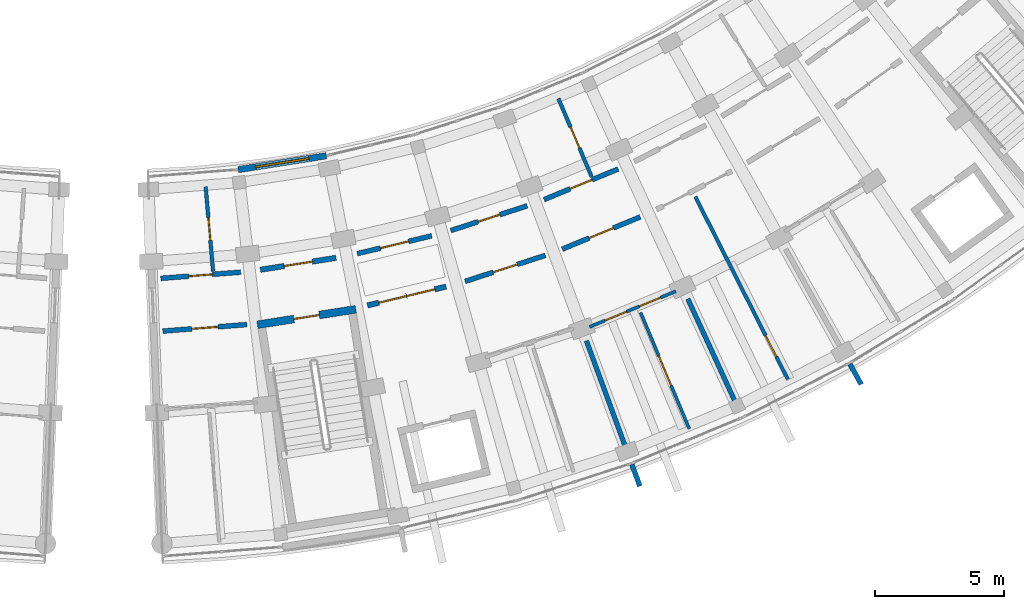
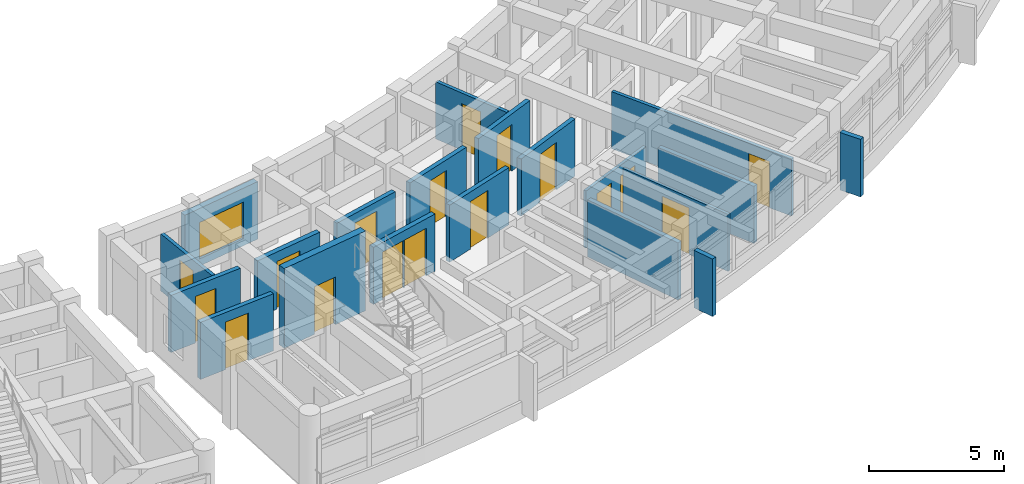
# One storey, part 67 of 83: 20 walls, 17 doors, 1 window, 18 openings.
"""IFC4 building model written with IfcOpenShell, lengths in metres."""

from ifc_helpers import new_model, si_unit, direction, frame, frame_2d, origin, place, context, subcontext, project, spatial, rectangle, extrude, material, layer, layer_set, type_object, element, fill, save


model = new_model("IFC4")

# Units and contexts
model_context = context("Model", 3, precision=1e-05, world=origin(), true_north=direction((0.0, 1.0)))
body_context = subcontext(model_context, "Body", "Model", "MODEL_VIEW")
ifc_project = project(units=[si_unit("LENGTHUNIT", "METRE"), si_unit("AREAUNIT", "SQUARE_METRE"), si_unit("VOLUMEUNIT", "CUBIC_METRE"), si_unit("PLANEANGLEUNIT", "RADIAN"), si_unit("MASSUNIT", "GRAM", prefix="KILO")], contexts=[model_context])

# Site, building, storey
site_placement = place(None, origin())
site = spatial("IfcSite", under=ifc_project, at=site_placement, CompositionType="ELEMENT")
building_placement = place(site_placement, origin())
building = spatial("IfcBuilding", under=site, at=building_placement, Name="Zimvara Arc Housing Community", CompositionType="ELEMENT")
storey_placement = place(building_placement, frame((0.0, 0.0, 4.5)))
storey = spatial("IfcBuildingStorey", under=building, at=storey_placement, Name="L01", CompositionType="ELEMENT", Elevation=4.5)

# Walls
ifc_material_1 = material(Name="Board-Marked Fair-Faced Concrete C35/45", Category="concrete")
ifc_layer_1 = layer(ifc_material_1, 0.195068359375)
ifc_layer_set_1 = layer_set([ifc_layer_1], Name="Board-Marked Fair-Faced Concrete C35/45")
wall_type_1 = type_object("IfcWallType", Name="EWL-PARA-195", PredefinedType="PARAPET", material=ifc_layer_set_1)
for number, where, z_axis, x_axis, name in (
    (1, (146.49755859375, 54.0947265625, 0.0), (0.0, 0.0, 1.0), (0.34529052391, -0.938495846607, 0.0), "finwall:blkD:L01:out:b4"),
    (2, (154.968505859375, 57.990966796875, 0.0), (0.0, 0.0, 1.0), (0.487967253808, -0.872861935939, 0.0), "finwall:blkD:L01:out:b6"),
):
    element("IfcWall", number, at=place(storey_placement, frame(where, z_axis=z_axis, x_axis=x_axis)), inside=storey, type_object=wall_type_1, Name=name, PredefinedType="PARAPET", context=body_context, shape_type="SweptSolid", body=[
        extrude(rectangle(XDim=0.900146484375, YDim=0.195068359375, at=frame_2d((0.4501953125, 0.0))), origin(), (0.0, 0.0, 1.0), 2.60009765625),
    ])

# Wall, opening, window
ifc_material_2 = material(Name="Pigmented Fair-Faced Concrete C35/45", Category="concrete")
ifc_layer_2 = layer(ifc_material_2, 0.2451171875)
ifc_layer_set_2 = layer_set([ifc_layer_2], Name="Pigmented Fair-Faced Concrete C35/45")
wall_type_2 = type_object("IfcWallType", Name="EWL-PIGM-245", PredefinedType="SOLIDWALL", material=ifc_layer_set_2)
wall_1_placement = place(storey_placement, frame((131.20556640625, 65.5478515625, 0.0), z_axis=(0.0, 0.0, 1.0), x_axis=(0.987825183084, 0.155568016203, 0.0)))
wall_1 = element("IfcWall", 3, at=wall_1_placement, inside=storey, type_object=wall_type_2, Name="ewall:blkD:L01:in:b1", PredefinedType="SOLIDWALL", context=body_context, shape_type="SweptSolid", body=[
    extrude(rectangle(XDim=3.463623046875, YDim=0.2451171875, at=frame_2d((1.73193359375, 0.0))), origin(), (0.0, 0.0, 1.0), 2.60009765625),
])
opening_1_placement = place(wall_1_placement, frame((0.681884765625, 0.0, 0.320068359375)))
opening_1 = element("IfcOpeningElement", 4, at=opening_1_placement, cuts=wall_1, Name="Opening W09", PredefinedType="OPENING", context=body_context, shape_type="SweptSolid", body=[
    extrude(rectangle(XDim=2.10009765625, YDim=1.64990234375, at=frame_2d((1.050048828125, 0.824951171875))), frame((0.0, 0.132568359375, 0.0), z_axis=(0.0, -1.0, 0.0), x_axis=(1.0, 0.0, 0.0)), (0.0, 0.0, 1.0), 0.26513671875),
])
ifc_material_3 = material(Name="Solar Control Low-E Double Glazing", Category="glass")
window_type = type_object("IfcWindowType", Name="WIN-RES-2100x1650", PartitioningType="TRIPLE_PANEL_VERTICAL", PredefinedType="WINDOW", material=ifc_material_3)
window_placement = place(opening_1_placement, origin())
window = element("IfcWindow", 5, at=window_placement, inside=storey, type_object=window_type, Name="win:blkD:L01:in:b1", OverallHeight=1.64990234375, OverallWidth=2.10009765625, PartitioningType="TRIPLE_PANEL_VERTICAL", PredefinedType="WINDOW", context=body_context, shape_type="SweptSolid", body=[
    extrude(rectangle(XDim=2.10009765625, YDim=1.64990234375, at=frame_2d((1.050048828125, 0.824951171875))), frame((0.0, 0.030029296875, 0.0), z_axis=(0.0, -1.0, 0.0), x_axis=(1.0, 0.0, 0.0)), (0.0, 0.0, 1.0), 0.06005859375),
])
fill(opening_1, window)

# Wall, opening, door
ifc_material_4 = material(Name="Concrete C35/45", Category="concrete")
ifc_layer_3 = layer(ifc_material_4, 0.2099609375)
ifc_layer_set_3 = layer_set([ifc_layer_3], Name="Concrete C35/45")
wall_type_3 = type_object("IfcWallType", Name="IWL-CCF-210", PredefinedType="SOLIDWALL", material=ifc_layer_set_3)
wall_2_placement = place(storey_placement, frame((132.065185546875, 61.6572265625, 0.0), z_axis=(0.0, 0.0, 1.0), x_axis=(0.987816121487, 0.155625544594, 0.0)))
wall_2 = element("IfcWall", 6, at=wall_2_placement, inside=storey, type_object=wall_type_3, Name="iwall:blkD:L01:ccf_div:b1", PredefinedType="SOLIDWALL", context=body_context, shape_type="SweptSolid", body=[
    extrude(rectangle(XDim=2.97607421875, YDim=0.2099609375, at=frame_2d((1.488037109375, 0.0))), origin(), (0.0, 0.0, 1.0), 2.580078125),
])
opening_2_placement = place(wall_2_placement, frame((0.93798828125, 0.0, 0.0)))
opening_2 = element("IfcOpeningElement", 7, at=opening_2_placement, cuts=wall_2, Name="Opening FD-CCF1", PredefinedType="OPENING", context=body_context, shape_type="SweptSolid", body=[
    extrude(rectangle(XDim=1.10009765625, YDim=2.14990234375, at=frame_2d((0.550048828125, 1.074951171875))), frame((0.0, 0.114990234375, 0.0), z_axis=(0.0, -1.0, 0.0), x_axis=(1.0, 0.0, 0.0)), (0.0, 0.0, 1.0), 0.22998046875),
])
ifc_material_5 = material(Name="Anodised Aluminium AW-6063", Category="aluminium")
door_type_1 = type_object("IfcDoorType", Name="IDR-CCF-1100x2150", OperationType="NOTDEFINED", PredefinedType="DOOR", material=ifc_material_5)
door_1_placement = place(opening_2_placement, origin())
door_1 = element("IfcDoor", 8, at=door_1_placement, inside=storey, type_object=door_type_1, Name="idoor:blkD:L01:ccf_in:b1", OperationType="SINGLE_SWING_RIGHT", OverallHeight=2.14990234375, OverallWidth=1.10009765625, PredefinedType="DOOR", context=body_context, shape_type="SweptSolid", body=[
    extrude(rectangle(XDim=1.10009765625, YDim=2.14990234375, at=frame_2d((0.550048828125, 1.074951171875))), frame((0.0, 0.02490234375, 0.0), z_axis=(0.0, -1.0, 0.0), x_axis=(1.0, 0.0, 0.0)), (0.0, 0.0, 1.0), 0.050048828125),
])
fill(opening_2, door_1)

# Wall, openings, doors
wall_3_placement = place(storey_placement, frame((136.2265625, 60.272216796875, 0.0), z_axis=(0.0, 0.0, 1.0), x_axis=(0.972564346632, 0.232634029456, 0.0)))
wall_3 = element("IfcWall", 9, at=wall_3_placement, inside=storey, type_object=wall_type_3, Name="iwall:blkD:L01:ll_div:b2", PredefinedType="SOLIDWALL", context=body_context, shape_type="SweptSolid", body=[
    extrude(rectangle(XDim=3.136962890625, YDim=0.2099609375, at=frame_2d((1.568359375, 0.0))), origin(), (0.0, 0.0, 1.0), 2.580078125),
])
opening_3_placement = place(wall_3_placement, frame((0.449951171875, 0.0, 0.0)))
opening_3 = element("IfcOpeningElement", 10, at=opening_3_placement, cuts=wall_3, Name="Opening FD-CCF1", PredefinedType="OPENING", context=body_context, shape_type="SweptSolid", body=[
    extrude(rectangle(XDim=1.10009765625, YDim=2.14990234375, at=frame_2d((0.550048828125, 1.074951171875))), frame((0.0, 0.114990234375, 0.0), z_axis=(0.0, -1.0, 0.0), x_axis=(1.0, 0.0, 0.0)), (0.0, 0.0, 1.0), 0.22998046875),
])
opening_4_placement = place(wall_3_placement, frame((1.56689453125, 0.0, 0.0)))
opening_4 = element("IfcOpeningElement", 11, at=opening_4_placement, cuts=wall_3, Name="Opening D07", PredefinedType="OPENING", context=body_context, shape_type="SweptSolid", body=[
    extrude(rectangle(XDim=1.1201171875, YDim=2.14990234375, at=frame_2d((0.56005859375, 1.074951171875))), frame((0.0, 0.114990234375, 0.0), z_axis=(0.0, -1.0, 0.0), x_axis=(1.0, 0.0, 0.0)), (0.0, 0.0, 1.0), 0.22998046875),
])
ifc_material_6 = material(Name="Mozambican Hardwood", Category="wood")
door_type_2 = type_object("IfcDoorType", Name="IDR-AMN-1120x2150", OperationType="NOTDEFINED", PredefinedType="DOOR", material=ifc_material_6)
door_2_placement = place(opening_4_placement, origin())
door_2 = element("IfcDoor", 12, at=door_2_placement, inside=storey, type_object=door_type_2, Name="idoor:blkD:L01:rs_in:b2", OperationType="SINGLE_SWING_RIGHT", OverallHeight=2.14990234375, OverallWidth=1.1201171875, PredefinedType="DOOR", context=body_context, shape_type="SweptSolid", body=[
    extrude(rectangle(XDim=1.1201171875, YDim=2.14990234375, at=frame_2d((0.56005859375, 1.074951171875))), frame((0.0, 0.02490234375, 0.0), z_axis=(0.0, -1.0, 0.0), x_axis=(1.0, 0.0, 0.0)), (0.0, 0.0, 1.0), 0.050048828125),
])
fill(opening_4, door_2)
door_3_placement = place(opening_3_placement, origin())
door_3 = element("IfcDoor", 13, at=door_3_placement, inside=storey, type_object=door_type_1, Name="idoor:blkD:L01:ll_in:b2", OperationType="SINGLE_SWING_LEFT", OverallHeight=2.14990234375, OverallWidth=1.10009765625, PredefinedType="DOOR", context=body_context, shape_type="SweptSolid", body=[
    extrude(rectangle(XDim=1.10009765625, YDim=2.14990234375, at=frame_2d((0.550048828125, 1.074951171875))), frame((0.0, 0.02490234375, 0.0), z_axis=(0.0, -1.0, 0.0), x_axis=(1.0, 0.0, 0.0)), (0.0, 0.0, 1.0), 0.050048828125),
])
fill(opening_3, door_3)

# Wall, opening, door
ifc_material_7 = material(Name="Concrete C35/45", Category="concrete")
ifc_layer_4 = layer(ifc_material_7, 0.18994140625)
ifc_layer_set_4 = layer_set([ifc_layer_4], Name="Concrete C35/45")
wall_type_4 = type_object("IfcWallType", Name="IWL-CORR-190", PredefinedType="SOLIDWALL", material=ifc_layer_set_4)
wall_4_placement = place(storey_placement, frame((128.273193359375, 59.2744140625, 0.0), z_axis=(0.0, 0.0, 1.0), x_axis=(0.996982624396, 0.077625038827, 0.0)))
wall_4 = element("IfcWall", 14, at=wall_4_placement, inside=storey, type_object=wall_type_4, Name="iwall:blkD:L01:corr_out:b0", PredefinedType="SOLIDWALL", context=body_context, shape_type="SweptSolid", body=[
    extrude(rectangle(XDim=3.27734375, YDim=0.18994140625, at=frame_2d((1.638671875, 0.0))), origin(), (0.0, 0.0, 1.0), 2.580078125),
])
opening_5_placement = place(wall_4_placement, frame((1.12841796875, 0.0, 0.0)))
opening_5 = element("IfcOpeningElement", 15, at=opening_5_placement, cuts=wall_4, Name="Opening FD-FL2", PredefinedType="OPENING", context=body_context, shape_type="SweptSolid", body=[
    extrude(rectangle(XDim=1.02001953125, YDim=2.14990234375, at=frame_2d((0.510009765625, 1.074951171875))), frame((0.0, 0.10498046875, 0.0), z_axis=(0.0, -1.0, 0.0), x_axis=(1.0, 0.0, 0.0)), (0.0, 0.0, 1.0), 0.2099609375),
])
ifc_material_8 = material(Name="Mozambican Hardwood", Category="wood")
door_type_3 = type_object("IfcDoorType", Name="IDR-FLAT-1020x2150", OperationType="NOTDEFINED", PredefinedType="DOOR", material=ifc_material_8)
door_4_placement = place(opening_5_placement, origin())
door_4 = element("IfcDoor", 16, at=door_4_placement, inside=storey, type_object=door_type_3, Name="idoor:blkD:L01:flat:b0", OperationType="SINGLE_SWING_RIGHT", OverallHeight=2.14990234375, OverallWidth=1.02001953125, PredefinedType="DOOR", context=body_context, shape_type="SweptSolid", body=[
    extrude(rectangle(XDim=1.02001953125, YDim=2.14990234375, at=frame_2d((0.510009765625, 1.074951171875))), frame((0.0, 0.02490234375, 0.0), z_axis=(0.0, -1.0, 0.0), x_axis=(1.0, 0.0, 0.0)), (0.0, 0.0, 1.0), 0.050048828125),
])
fill(opening_5, door_4)

wall_5_placement = place(storey_placement, frame((128.194580078125, 61.322998046875, 0.0), z_axis=(0.0, 0.0, 1.0), x_axis=(0.996987280187, 0.077565218655, 0.0)))
wall_5 = element("IfcWall", 17, at=wall_5_placement, inside=storey, type_object=wall_type_4, Name="iwall:blkD:L01:corr_in:b0", PredefinedType="SOLIDWALL", context=body_context, shape_type="SweptSolid", body=[
    extrude(rectangle(XDim=3.115966796875, YDim=0.18994140625, at=frame_2d((1.55810546875, 0.0))), origin(), (0.0, 0.0, 1.0), 2.580078125),
])
opening_6_placement = place(wall_5_placement, frame((1.097900390625, 0.0, 0.0)))
opening_6 = element("IfcOpeningElement", 18, at=opening_6_placement, cuts=wall_5, Name="Opening D02", PredefinedType="OPENING", context=body_context, shape_type="SweptSolid", body=[
    extrude(rectangle(XDim=0.919921875, YDim=2.10009765625, at=frame_2d((0.4599609375, 1.050048828125))), frame((0.0, 0.10498046875, 0.0), z_axis=(0.0, -1.0, 0.0), x_axis=(1.0, 0.0, 0.0)), (0.0, 0.0, 1.0), 0.2099609375),
])
ifc_material_9 = material(Name="Mozambican Hardwood", Category="wood")
door_type_4 = type_object("IfcDoorType", Name="IDR-RM-0920x2100", OperationType="NOTDEFINED", PredefinedType="DOOR", material=ifc_material_9)
door_5_placement = place(opening_6_placement, origin())
door_5 = element("IfcDoor", 19, at=door_5_placement, inside=storey, type_object=door_type_4, Name="idoor:blkD:L01:in_rm:b0", OperationType="SINGLE_SWING_LEFT", OverallHeight=2.10009765625, OverallWidth=0.919921875, PredefinedType="DOOR", context=body_context, shape_type="SweptSolid", body=[
    extrude(rectangle(XDim=0.919921875, YDim=2.10009765625, at=frame_2d((0.4599609375, 1.050048828125))), frame((0.0, 0.02490234375, 0.0), z_axis=(0.0, -1.0, 0.0), x_axis=(1.0, 0.0, 0.0)), (0.0, 0.0, 1.0), 0.050048828125),
])
fill(opening_6, door_5)

wall_6_placement = place(storey_placement, frame((135.828369140625, 62.283203125, 0.0), z_axis=(0.0, 0.0, 1.0), x_axis=(0.972558314217, 0.232659247501, 0.0)))
wall_6 = element("IfcWall", 20, at=wall_6_placement, inside=storey, type_object=wall_type_4, Name="iwall:blkD:L01:ra_div:b2", PredefinedType="SOLIDWALL", context=body_context, shape_type="SweptSolid", body=[
    extrude(rectangle(XDim=2.97607421875, YDim=0.18994140625, at=frame_2d((1.488037109375, 0.0))), origin(), (0.0, 0.0, 1.0), 2.580078125),
])
opening_7_placement = place(wall_6_placement, frame((0.927978515625, 0.0, 0.0)))
opening_7 = element("IfcOpeningElement", 21, at=opening_7_placement, cuts=wall_6, Name="Opening D07", PredefinedType="OPENING", context=body_context, shape_type="SweptSolid", body=[
    extrude(rectangle(XDim=1.1201171875, YDim=2.14990234375, at=frame_2d((0.56005859375, 1.074951171875))), frame((0.0, 0.10498046875, 0.0), z_axis=(0.0, -1.0, 0.0), x_axis=(1.0, 0.0, 0.0)), (0.0, 0.0, 1.0), 0.2099609375),
])
door_6_placement = place(opening_7_placement, origin())
door_6 = element("IfcDoor", 22, at=door_6_placement, inside=storey, type_object=door_type_2, Name="idoor:blkD:L01:ra_d:b2", OperationType="SINGLE_SWING_LEFT", OverallHeight=2.14990234375, OverallWidth=1.1201171875, PredefinedType="DOOR", context=body_context, shape_type="SweptSolid", body=[
    extrude(rectangle(XDim=1.1201171875, YDim=2.14990234375, at=frame_2d((0.56005859375, 1.074951171875))), frame((0.0, 0.02490234375, 0.0), z_axis=(0.0, -1.0, 0.0), x_axis=(1.0, 0.0, 0.0)), (0.0, 0.0, 1.0), 0.050048828125),
])
fill(opening_7, door_6)

wall_7_placement = place(storey_placement, frame((140.018798828125, 61.20751953125, 0.0), z_axis=(0.0, 0.0, 1.0), x_axis=(0.951323803878, 0.308193154005, 0.0)))
wall_7 = element("IfcWall", 23, at=wall_7_placement, inside=storey, type_object=wall_type_4, Name="iwall:blkD:L01:corr_out:b3", PredefinedType="SOLIDWALL", context=body_context, shape_type="SweptSolid", body=[
    extrude(rectangle(XDim=3.277099609375, YDim=0.18994140625, at=frame_2d((1.638671875, 0.0))), origin(), (0.0, 0.0, 1.0), 2.580078125),
])
opening_8_placement = place(wall_7_placement, frame((1.1484375, 0.0, 0.0)))
opening_8 = element("IfcOpeningElement", 24, at=opening_8_placement, cuts=wall_7, Name="Opening FD-FL1", PredefinedType="OPENING", context=body_context, shape_type="SweptSolid", body=[
    extrude(rectangle(XDim=0.97998046875, YDim=2.14990234375, at=frame_2d((0.489990234375, 1.074951171875))), frame((0.0, 0.10498046875, 0.0), z_axis=(0.0, -1.0, 0.0), x_axis=(1.0, 0.0, 0.0)), (0.0, 0.0, 1.0), 0.2099609375),
])
ifc_material_10 = material(Name="Mozambican Hardwood", Category="wood")
door_type_5 = type_object("IfcDoorType", Name="IDR-FLAT-0980x2150", OperationType="NOTDEFINED", PredefinedType="DOOR", material=ifc_material_10)
door_7_placement = place(opening_8_placement, origin())
door_7 = element("IfcDoor", 25, at=door_7_placement, inside=storey, type_object=door_type_5, Name="idoor:blkD:L01:flat:b3", OperationType="SINGLE_SWING_RIGHT", OverallHeight=2.14990234375, OverallWidth=0.97998046875, PredefinedType="DOOR", context=body_context, shape_type="SweptSolid", body=[
    extrude(rectangle(XDim=0.97998046875, YDim=2.14990234375, at=frame_2d((0.489990234375, 1.074951171875))), frame((0.0, 0.02490234375, 0.0), z_axis=(0.0, -1.0, 0.0), x_axis=(1.0, 0.0, 0.0)), (0.0, 0.0, 1.0), 0.050048828125),
])
fill(opening_8, door_7)

wall_8_placement = place(storey_placement, frame((139.464111328125, 63.18115234375, 0.0), z_axis=(0.0, 0.0, 1.0), x_axis=(0.951336474448, 0.308154040027, 0.0)))
wall_8 = element("IfcWall", 26, at=wall_8_placement, inside=storey, type_object=wall_type_4, Name="iwall:blkD:L01:corr_in:b3", PredefinedType="SOLIDWALL", context=body_context, shape_type="SweptSolid", body=[
    extrude(rectangle(XDim=3.115966796875, YDim=0.18994140625, at=frame_2d((1.55810546875, 0.0))), origin(), (0.0, 0.0, 1.0), 2.580078125),
])
opening_9_placement = place(wall_8_placement, frame((1.10791015625, 0.0, 0.0)))
opening_9 = element("IfcOpeningElement", 27, at=opening_9_placement, cuts=wall_8, Name="Opening D01", PredefinedType="OPENING", context=body_context, shape_type="SweptSolid", body=[
    extrude(rectangle(XDim=0.89990234375, YDim=2.10009765625, at=frame_2d((0.449951171875, 1.050048828125))), frame((0.0, 0.10498046875, 0.0), z_axis=(0.0, -1.0, 0.0), x_axis=(1.0, 0.0, 0.0)), (0.0, 0.0, 1.0), 0.2099609375),
])
ifc_material_11 = material(Name="Mozambican Hardwood", Category="wood")
door_type_6 = type_object("IfcDoorType", Name="IDR-RM-0900x2100", OperationType="NOTDEFINED", PredefinedType="DOOR", material=ifc_material_11)
door_8_placement = place(opening_9_placement, origin())
door_8 = element("IfcDoor", 28, at=door_8_placement, inside=storey, type_object=door_type_6, Name="idoor:blkD:L01:in_rm:b3", OperationType="SINGLE_SWING_LEFT", OverallHeight=2.10009765625, OverallWidth=0.89990234375, PredefinedType="DOOR", context=body_context, shape_type="SweptSolid", body=[
    extrude(rectangle(XDim=0.89990234375, YDim=2.10009765625, at=frame_2d((0.449951171875, 1.050048828125))), frame((0.0, 0.02490234375, 0.0), z_axis=(0.0, -1.0, 0.0), x_axis=(1.0, 0.0, 0.0)), (0.0, 0.0, 1.0), 0.050048828125),
])
fill(opening_9, door_8)

wall_9_placement = place(storey_placement, frame((143.792724609375, 62.458984375, 0.0), z_axis=(0.0, 0.0, 1.0), x_axis=(0.924214561665, 0.381873596896, 0.0)))
wall_9 = element("IfcWall", 29, at=wall_9_placement, inside=storey, type_object=wall_type_4, Name="iwall:blkD:L01:corr_out:b4", PredefinedType="SOLIDWALL", context=body_context, shape_type="SweptSolid", body=[
    extrude(rectangle(XDim=3.277099609375, YDim=0.18994140625, at=frame_2d((1.638671875, 0.0))), origin(), (0.0, 0.0, 1.0), 2.580078125),
])
opening_10_placement = place(wall_9_placement, frame((1.12841796875, 0.0, 0.0)))
opening_10 = element("IfcOpeningElement", 30, at=opening_10_placement, cuts=wall_9, Name="Opening FD-FL2", PredefinedType="OPENING", context=body_context, shape_type="SweptSolid", body=[
    extrude(rectangle(XDim=1.02001953125, YDim=2.14990234375, at=frame_2d((0.510009765625, 1.074951171875))), frame((0.0, 0.10498046875, 0.0), z_axis=(0.0, -1.0, 0.0), x_axis=(1.0, 0.0, 0.0)), (0.0, 0.0, 1.0), 0.2099609375),
])
door_9_placement = place(opening_10_placement, origin())
door_9 = element("IfcDoor", 31, at=door_9_placement, inside=storey, type_object=door_type_3, Name="idoor:blkD:L01:flat:b4", OperationType="SINGLE_SWING_LEFT", OverallHeight=2.14990234375, OverallWidth=1.02001953125, PredefinedType="DOOR", context=body_context, shape_type="SweptSolid", body=[
    extrude(rectangle(XDim=1.02001953125, YDim=2.14990234375, at=frame_2d((0.510009765625, 1.074951171875))), frame((0.0, 0.02490234375, 0.0), z_axis=(0.0, -1.0, 0.0), x_axis=(1.0, 0.0, 0.0)), (0.0, 0.0, 1.0), 0.050048828125),
])
fill(opening_10, door_9)

wall_10_placement = place(storey_placement, frame((143.0849609375, 64.3828125, 0.0), z_axis=(0.0, 0.0, 1.0), x_axis=(0.924213340202, 0.381876553081, 0.0)))
wall_10 = element("IfcWall", 32, at=wall_10_placement, inside=storey, type_object=wall_type_4, Name="iwall:blkD:L01:corr_in:b4", PredefinedType="SOLIDWALL", context=body_context, shape_type="SweptSolid", body=[
    extrude(rectangle(XDim=3.115966796875, YDim=0.18994140625, at=frame_2d((1.55810546875, 0.0))), origin(), (0.0, 0.0, 1.0), 2.580078125),
])
opening_11_placement = place(wall_10_placement, frame((1.097900390625, 0.0, 0.0)))
opening_11 = element("IfcOpeningElement", 33, at=opening_11_placement, cuts=wall_10, Name="Opening D02", PredefinedType="OPENING", context=body_context, shape_type="SweptSolid", body=[
    extrude(rectangle(XDim=0.919921875, YDim=2.10009765625, at=frame_2d((0.4599609375, 1.050048828125))), frame((0.0, 0.10498046875, 0.0), z_axis=(0.0, -1.0, 0.0), x_axis=(1.0, 0.0, 0.0)), (0.0, 0.0, 1.0), 0.2099609375),
])
door_10_placement = place(opening_11_placement, origin())
door_10 = element("IfcDoor", 34, at=door_10_placement, inside=storey, type_object=door_type_4, Name="idoor:blkD:L01:in_rm:b4", OperationType="SINGLE_SWING_RIGHT", OverallHeight=2.10009765625, OverallWidth=0.919921875, PredefinedType="DOOR", context=body_context, shape_type="SweptSolid", body=[
    extrude(rectangle(XDim=0.919921875, YDim=2.10009765625, at=frame_2d((0.4599609375, 1.050048828125))), frame((0.0, 0.02490234375, 0.0), z_axis=(0.0, -1.0, 0.0), x_axis=(1.0, 0.0, 0.0)), (0.0, 0.0, 1.0), 0.050048828125),
])
fill(opening_11, door_10)

# Walls
ifc_material_12 = material(Name="Concrete C35/45", Category="concrete")
ifc_layer_5 = layer(ifc_material_12, 0.18505859375)
ifc_layer_set_5 = layer_set([ifc_layer_5], Name="Concrete C35/45")
wall_type_5 = type_object("IfcWallType", Name="IWL-FLAT-185", PredefinedType="SOLIDWALL", material=ifc_layer_set_5)
for number, where, z_axis, x_axis, name in (
    (35, (144.729736328125, 58.89990234375, 0.0), (0.0, 0.0, 1.0), (0.345273579683, -0.938502080537, 0.0), "iwall:blkD:L01:party:b4"),
    (36, (148.670166015625, 60.528076171875, 0.0), (0.0, 0.0, 1.0), (0.417837051164, -0.908521985796, 0.0), "iwall:blkD:L01:party:b5"),
):
    element("IfcWall", number, at=place(storey_placement, frame(where, z_axis=z_axis, x_axis=x_axis)), inside=storey, type_object=wall_type_5, Name=name, PredefinedType="SOLIDWALL", context=body_context, shape_type="SweptSolid", body=[
        extrude(rectangle(XDim=4.35009765625, YDim=0.18505859375, at=frame_2d((2.175048828125, 0.0))), origin(), (0.0, 0.0, 1.0), 2.580078125),
    ])

# Wall, opening, door
ifc_material_13 = material(Name="Painted Acoustic Plasterboard")
ifc_layer_6 = layer(ifc_material_13, 0.1201171875)
ifc_layer_set_6 = layer_set([ifc_layer_6], Name="Painted Acoustic Plasterboard")
wall_type_6 = type_object("IfcWallType", Name="IWL-PART-120", PredefinedType="PARTITIONING", material=ifc_layer_set_6)
wall_11_placement = place(storey_placement, frame((146.8369140625, 59.996337890625, 0.0), z_axis=(0.0, 0.0, 1.0), x_axis=(0.385846225752, -0.922563108992, 0.0)))
wall_11 = element("IfcWall", 37, at=wall_11_placement, inside=storey, type_object=wall_type_6, Name="iwall:blkD:L01:bed_div:b4", PredefinedType="PARTITIONING", context=body_context, shape_type="SweptSolid", body=[
    extrude(rectangle(XDim=4.89990234375, YDim=0.1201171875, at=frame_2d((2.449951171875, 0.0))), origin(), (0.0, 0.0, 1.0), 2.580078125),
])
opening_12_placement = place(wall_11_placement, frame((1.830078125, 0.0, 0.0)))
opening_12 = element("IfcOpeningElement", 38, at=opening_12_placement, cuts=wall_11, Name="Opening D19", PredefinedType="OPENING", context=body_context, shape_type="SweptSolid", body=[
    extrude(rectangle(XDim=1.239990234375, YDim=2.10009765625, at=frame_2d((0.6201171875, 1.050048828125))), frame((0.0, 0.070068359375, 0.0), z_axis=(0.0, -1.0, 0.0), x_axis=(1.0, 0.0, 0.0)), (0.0, 0.0, 1.0), 0.14013671875),
])
ifc_material_14 = material(Name="Mozambican Hardwood", Category="wood")
door_type_7 = type_object("IfcDoorType", Name="IDR-MOD-1240x2180", OperationType="NOTDEFINED", PredefinedType="DOOR", material=ifc_material_14)
door_11_placement = place(opening_12_placement, origin())
door_11 = element("IfcDoor", 39, at=door_11_placement, inside=storey, type_object=door_type_7, Name="idoor:blkD:L01:bed_d:b4", OperationType="SINGLE_SWING_RIGHT", OverallHeight=2.10009765625, OverallWidth=1.239990234375, PredefinedType="DOOR", context=body_context, shape_type="SweptSolid", body=[
    extrude(rectangle(XDim=1.239990234375, YDim=2.10009765625, at=frame_2d((0.6201171875, 1.050048828125))), frame((0.0, 0.02490234375, 0.0), z_axis=(0.0, -1.0, 0.0), x_axis=(1.0, 0.0, 0.0)), (0.0, 0.0, 1.0), 0.050048828125),
])
fill(opening_12, door_11)

# Wall, openings, doors
ifc_material_15 = material(Name="Painted Acoustic Plasterboard")
ifc_layer_7 = layer(ifc_material_15, 0.125)
ifc_layer_set_7 = layer_set([ifc_layer_7], Name="Painted Acoustic Plasterboard")
wall_type_7 = type_object("IfcWallType", Name="IWL-PART-125", PredefinedType="PARTITIONING", material=ifc_layer_set_7)
wall_12_placement = place(storey_placement, frame((144.8515625, 59.436767578125, 0.0), z_axis=(0.0, 0.0, 1.0), x_axis=(0.924217547919, 0.381866369453, 0.0)))
wall_12 = element("IfcWall", 40, at=wall_12_placement, inside=storey, type_object=wall_type_7, Name="iwall:blkD:L01:srv:b4", PredefinedType="PARTITIONING", context=body_context, shape_type="SweptSolid", body=[
    extrude(rectangle(XDim=3.628173828125, YDim=0.125, at=frame_2d((1.81396484375, 0.0))), origin(), (0.0, 0.0, 1.0), 2.580078125),
])
opening_13_placement = place(wall_12_placement, frame((0.64990234375, 0.0, 0.0)))
opening_13 = element("IfcOpeningElement", 41, at=opening_13_placement, cuts=wall_12, Name="Opening D01", PredefinedType="OPENING", context=body_context, shape_type="SweptSolid", body=[
    extrude(rectangle(XDim=0.89990234375, YDim=2.10009765625, at=frame_2d((0.449951171875, 1.050048828125))), frame((0.0, 0.072509765625, 0.0), z_axis=(0.0, -1.0, 0.0), x_axis=(1.0, 0.0, 0.0)), (0.0, 0.0, 1.0), 0.14501953125),
])
opening_14_placement = place(wall_12_placement, frame((2.098388671875, 0.0, 0.0)))
opening_14 = element("IfcOpeningElement", 42, at=opening_14_placement, cuts=wall_12, Name="Opening D05", PredefinedType="OPENING", context=body_context, shape_type="SweptSolid", body=[
    extrude(rectangle(XDim=0.8798828125, YDim=2.10009765625, at=frame_2d((0.43994140625, 1.050048828125))), frame((0.0, 0.072509765625, 0.0), z_axis=(0.0, -1.0, 0.0), x_axis=(1.0, 0.0, 0.0)), (0.0, 0.0, 1.0), 0.14501953125),
])
door_12_placement = place(opening_13_placement, origin())
door_12 = element("IfcDoor", 43, at=door_12_placement, inside=storey, type_object=door_type_6, Name="idoor:blkD:L01:kit_liv:b4", OperationType="SINGLE_SWING_RIGHT", OverallHeight=2.10009765625, OverallWidth=0.89990234375, PredefinedType="DOOR", context=body_context, shape_type="SweptSolid", body=[
    extrude(rectangle(XDim=0.89990234375, YDim=2.10009765625, at=frame_2d((0.449951171875, 1.050048828125))), frame((0.0, 0.02490234375, 0.0), z_axis=(0.0, -1.0, 0.0), x_axis=(1.0, 0.0, 0.0)), (0.0, 0.0, 1.0), 0.050048828125),
])
fill(opening_13, door_12)
ifc_material_16 = material(Name="Mozambican Hardwood", Category="wood")
door_type_8 = type_object("IfcDoorType", Name="IDR-WC-0880x2100", OperationType="NOTDEFINED", PredefinedType="DOOR", material=ifc_material_16)
door_13_placement = place(opening_14_placement, origin())
door_13 = element("IfcDoor", 44, at=door_13_placement, inside=storey, type_object=door_type_8, Name="idoor:blkD:L01:bath_d:b4", OperationType="SINGLE_SWING_LEFT", OverallHeight=2.10009765625, OverallWidth=0.8798828125, PredefinedType="DOOR", context=body_context, shape_type="SweptSolid", body=[
    extrude(rectangle(XDim=0.8798828125, YDim=2.10009765625, at=frame_2d((0.43994140625, 1.050048828125))), frame((0.0, 0.02490234375, 0.0), z_axis=(0.0, -1.0, 0.0), x_axis=(1.0, 0.0, 0.0)), (0.0, 0.0, 1.0), 0.050048828125),
])
fill(opening_14, door_13)

# Wall, opening, door
ifc_material_17 = material(Name="Painted Acoustic Plasterboard")
ifc_layer_8 = layer(ifc_material_17, 0.139892578125)
ifc_layer_set_8 = layer_set([ifc_layer_8], Name="Painted Acoustic Plasterboard")
wall_type_8 = type_object("IfcWallType", Name="IWL-PART-140", PredefinedType="PARTITIONING", material=ifc_layer_set_8)
wall_13_placement = place(storey_placement, frame((148.96044921875, 64.4990234375, 0.0), z_axis=(0.0, 0.0, 1.0), x_axis=(0.451912010816, -0.892062517137, 0.0)))
wall_13 = element("IfcWall", 45, at=wall_13_placement, inside=storey, type_object=wall_type_8, Name="iwall:blkD:L01:amen_div:b5", PredefinedType="PARTITIONING", context=body_context, shape_type="SweptSolid", body=[
    extrude(rectangle(XDim=7.9501953125, YDim=0.139892578125, at=frame_2d((3.97509765625, 0.0))), origin(), (0.0, 0.0, 1.0), 2.580078125),
])
opening_15_placement = place(wall_13_placement, frame((6.050048828125, 0.0, 0.0)))
opening_15 = element("IfcOpeningElement", 46, at=opening_15_placement, cuts=wall_13, Name="Opening D02", PredefinedType="OPENING", context=body_context, shape_type="SweptSolid", body=[
    extrude(rectangle(XDim=0.919921875, YDim=2.10009765625, at=frame_2d((0.4599609375, 1.050048828125))), frame((0.0, 0.079833984375, 0.0), z_axis=(0.0, -1.0, 0.0), x_axis=(1.0, 0.0, 0.0)), (0.0, 0.0, 1.0), 0.159912109375),
])
door_14_placement = place(opening_15_placement, origin())
door_14 = element("IfcDoor", 47, at=door_14_placement, inside=storey, type_object=door_type_4, Name="idoor:blkD:L01:laund_d:b5", OperationType="SINGLE_SWING_RIGHT", OverallHeight=2.10009765625, OverallWidth=0.919921875, PredefinedType="DOOR", context=body_context, shape_type="SweptSolid", body=[
    extrude(rectangle(XDim=0.919921875, YDim=2.10009765625, at=frame_2d((0.4599609375, 1.050048828125))), frame((0.0, 0.02490234375, 0.0), z_axis=(0.0, -1.0, 0.0), x_axis=(1.0, 0.0, 0.0)), (0.0, 0.0, 1.0), 0.050048828125),
])
fill(opening_15, door_14)

ifc_material_18 = material(Name="Painted Acoustic Plasterboard")
ifc_layer_9 = layer(ifc_material_18, 0.14501953125)
ifc_layer_set_9 = layer_set([ifc_layer_9], Name="Painted Acoustic Plasterboard")
wall_type_9 = type_object("IfcWallType", Name="IWL-WET-145", PredefinedType="PARTITIONING", material=ifc_layer_set_9)
wall_14_placement = place(storey_placement, frame((129.938232421875, 64.8837890625, 0.0), z_axis=(0.0, 0.0, 1.0), x_axis=(0.087667103282, -0.996149827587, 0.0)))
wall_14 = element("IfcWall", 48, at=wall_14_placement, inside=storey, type_object=wall_type_9, Name="iwall:blkD:L01:ens:b0", PredefinedType="PARTITIONING", context=body_context, shape_type="SweptSolid", body=[
    extrude(rectangle(XDim=3.300048828125, YDim=0.14501953125, at=frame_2d((1.64990234375, 0.0))), origin(), (0.0, 0.0, 1.0), 2.580078125),
])
opening_16_placement = place(wall_14_placement, frame((1.2099609375, 0.0, 0.0)))
opening_16 = element("IfcOpeningElement", 49, at=opening_16_placement, cuts=wall_14, Name="Opening D05", PredefinedType="OPENING", context=body_context, shape_type="SweptSolid", body=[
    extrude(rectangle(XDim=0.8798828125, YDim=2.10009765625, at=frame_2d((0.43994140625, 1.050048828125))), frame((0.0, 0.08251953125, 0.0), z_axis=(0.0, -1.0, 0.0), x_axis=(1.0, 0.0, 0.0)), (0.0, 0.0, 1.0), 0.1650390625),
])
door_15_placement = place(opening_16_placement, origin())
door_15 = element("IfcDoor", 50, at=door_15_placement, inside=storey, type_object=door_type_8, Name="idoor:blkD:L01:ens_d:b0", OperationType="SINGLE_SWING_RIGHT", OverallHeight=2.10009765625, OverallWidth=0.8798828125, PredefinedType="DOOR", context=body_context, shape_type="SweptSolid", body=[
    extrude(rectangle(XDim=0.8798828125, YDim=2.10009765625, at=frame_2d((0.43994140625, 1.050048828125))), frame((0.0, 0.02490234375, 0.0), z_axis=(0.0, -1.0, 0.0), x_axis=(1.0, 0.0, 0.0)), (0.0, 0.0, 1.0), 0.050048828125),
])
fill(opening_16, door_15)

wall_15_placement = place(storey_placement, frame((143.64306640625, 68.308349609375, 0.0), z_axis=(0.0, 0.0, 1.0), x_axis=(0.391203300693, -0.920304285292, 0.0)))
wall_15 = element("IfcWall", 51, at=wall_15_placement, inside=storey, type_object=wall_type_9, Name="iwall:blkD:L01:ens:b4", PredefinedType="PARTITIONING", context=body_context, shape_type="SweptSolid", body=[
    extrude(rectangle(XDim=3.300048828125, YDim=0.14501953125, at=frame_2d((1.64990234375, 0.0))), origin(), (0.0, 0.0, 1.0), 2.580078125),
])
opening_17_placement = place(wall_15_placement, frame((1.2099609375, 0.0, 0.0)))
opening_17 = element("IfcOpeningElement", 52, at=opening_17_placement, cuts=wall_15, Name="Opening D05", PredefinedType="OPENING", context=body_context, shape_type="SweptSolid", body=[
    extrude(rectangle(XDim=0.8798828125, YDim=2.10009765625, at=frame_2d((0.43994140625, 1.050048828125))), frame((0.0, 0.08251953125, 0.0), z_axis=(0.0, -1.0, 0.0), x_axis=(1.0, 0.0, 0.0)), (0.0, 0.0, 1.0), 0.1650390625),
])
door_16_placement = place(opening_17_placement, origin())
door_16 = element("IfcDoor", 53, at=door_16_placement, inside=storey, type_object=door_type_8, Name="idoor:blkD:L01:ens_d:b4", OperationType="SINGLE_SWING_LEFT", OverallHeight=2.10009765625, OverallWidth=0.8798828125, PredefinedType="DOOR", context=body_context, shape_type="SweptSolid", body=[
    extrude(rectangle(XDim=0.8798828125, YDim=2.10009765625, at=frame_2d((0.43994140625, 1.050048828125))), frame((0.0, 0.02490234375, 0.0), z_axis=(0.0, -1.0, 0.0), x_axis=(1.0, 0.0, 0.0)), (0.0, 0.0, 1.0), 0.050048828125),
])
fill(opening_17, door_16)

ifc_material_19 = material(Name="Concrete C40/50", Category="concrete")
ifc_layer_10 = layer(ifc_material_19, 0.300048828125)
ifc_layer_set_10 = layer_set([ifc_layer_10], Name="Concrete C40/50")
wall_type_10 = type_object("IfcWallType", Name="WL-CORE-300", PredefinedType="SHEAR", material=ifc_layer_set_10)
wall_16_placement = place(storey_placement, frame((131.948974609375, 59.520751953125, 0.0), z_axis=(0.0, 0.0, 1.0), x_axis=(0.98782579805, 0.155564111245, 0.0)))
wall_16 = element("IfcWall", 54, at=wall_16_placement, inside=storey, type_object=wall_type_10, Name="cwall:ST-D1:L01:near", PredefinedType="SHEAR", context=body_context, shape_type="SweptSolid", body=[
    extrude(rectangle(XDim=3.8701171875, YDim=0.300048828125, at=frame_2d((1.93505859375, 0.0))), origin(), (0.0, 0.0, 1.0), 3.60009765625),
])
opening_18_placement = place(wall_16_placement, frame((1.43505859375, 0.0, 0.0)))
opening_18 = element("IfcOpeningElement", 55, at=opening_18_placement, cuts=wall_16, Name="Opening FD-ST1", PredefinedType="OPENING", context=body_context, shape_type="SweptSolid", body=[
    extrude(rectangle(XDim=1.0, YDim=2.14990234375, at=frame_2d((0.5, 1.074951171875))), frame((0.0, 0.159912109375, 0.0), z_axis=(0.0, -1.0, 0.0), x_axis=(1.0, 0.0, 0.0)), (0.0, 0.0, 1.0), 0.320068359375),
])
ifc_material_20 = material(Name="Anodised Aluminium AW-6063", Category="aluminium")
door_type_9 = type_object("IfcDoorType", Name="IDR-ST-1000x2150", OperationType="NOTDEFINED", PredefinedType="DOOR", material=ifc_material_20)
door_17_placement = place(opening_18_placement, origin())
door_17 = element("IfcDoor", 56, at=door_17_placement, inside=storey, type_object=door_type_9, Name="idoor:ST-D1:L01:entry", OperationType="SINGLE_SWING_LEFT", OverallHeight=2.14990234375, OverallWidth=1.0, PredefinedType="DOOR", context=body_context, shape_type="SweptSolid", body=[
    extrude(rectangle(XDim=1.0, YDim=2.14990234375, at=frame_2d((0.5, 1.074951171875))), frame((0.0, 0.02490234375, 0.0), z_axis=(0.0, -1.0, 0.0), x_axis=(1.0, 0.0, 0.0)), (0.0, 0.0, 1.0), 0.050048828125),
])
fill(opening_18, door_17)

save(model, "model.ifc")
